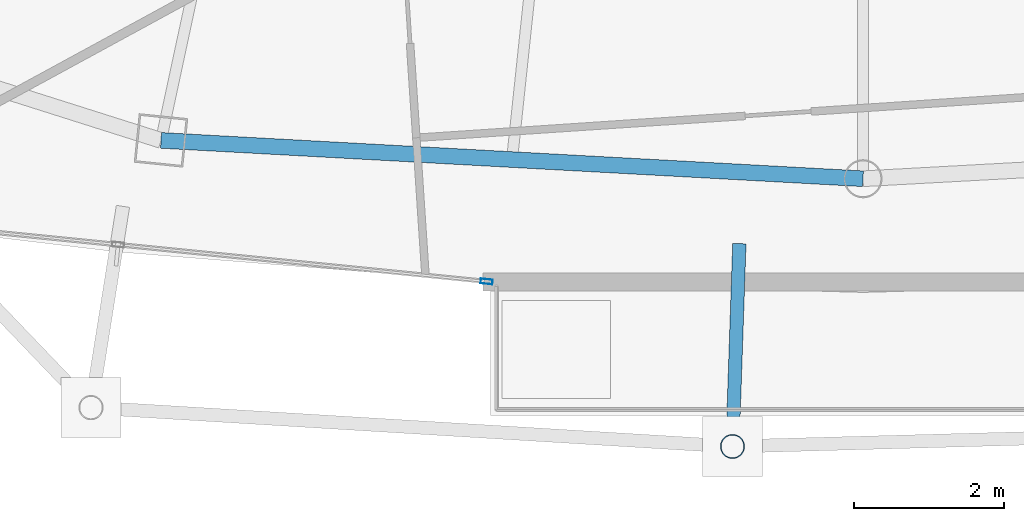
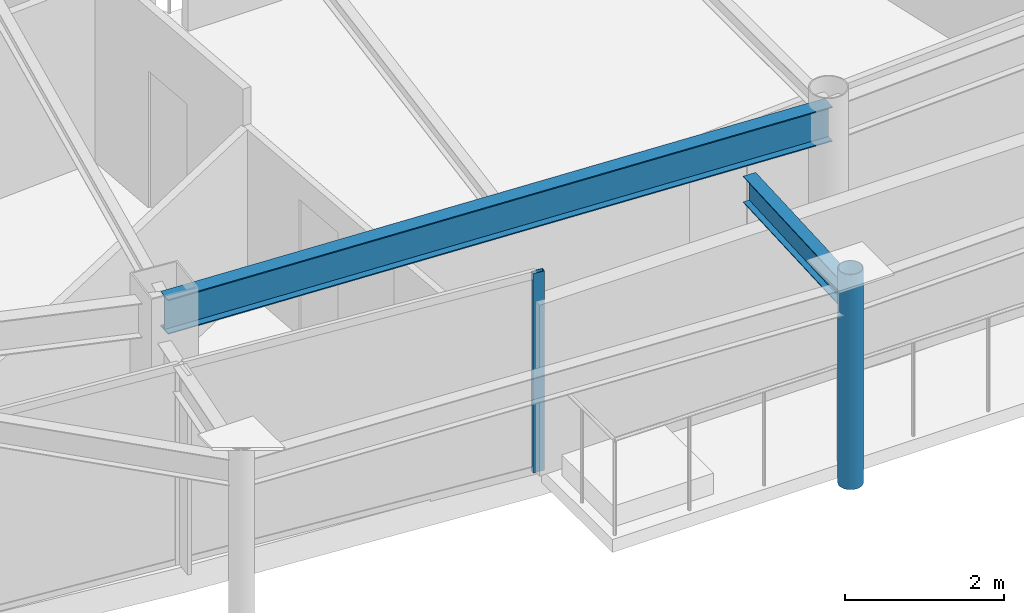
# One storey, part 7 of 29: 2 beams, 2 members, 1 element without a shape of its own.
"""IFC4 building model written with IfcOpenShell, lengths in metres."""

from ifc_helpers import new_model, si_unit, direction, frame, origin, origin_2d, place, context, subcontext, project, spatial, hollow_rectangle, hollow_circle, i_section, extrude, material, layer, layer_set, material_profile, profile_set, type_object, element, aggregate, save


model = new_model("IFC4")

# Units and contexts
model_context = context("Model", 3, precision=1e-05, world=origin(), true_north=direction((0.0, 1.0)))
body_context = subcontext(model_context, "Body", "Model", "MODEL_VIEW")
ifc_project = project(units=[si_unit("LENGTHUNIT", "METRE"), si_unit("AREAUNIT", "SQUARE_METRE"), si_unit("VOLUMEUNIT", "CUBIC_METRE"), si_unit("PLANEANGLEUNIT", "RADIAN"), si_unit("MASSUNIT", "GRAM", prefix="KILO")], contexts=[model_context])

# Site, building, storey
site_placement = place(None, origin())
site = spatial("IfcSite", under=ifc_project, at=site_placement, CompositionType="ELEMENT")
building_placement = place(site_placement, origin())
building = spatial("IfcBuilding", under=site, at=building_placement, Name="Orvanel Arch Residences", CompositionType="ELEMENT")
storey_placement = place(building_placement, frame((0.0, 0.0, 256.85009765625)))
storey = spatial("IfcBuildingStorey", under=building, at=storey_placement, Name="L73", CompositionType="ELEMENT", Elevation=256.85009765625)

# Curtain wall, member
ifc_material_1 = material(Name="Bronze-anodised aluminium AA6063-T6", Category="aluminium")
ifc_layer = layer(ifc_material_1, 0.175048828125)
ifc_layer_set = layer_set([ifc_layer], Name="Bronze-anodised aluminium AA6063-T6")
curtain_wall_type = type_object("IfcCurtainWallType", Name="CW4-HI-SYS", PredefinedType="NOTDEFINED", material=ifc_layer_set)
curtain_wall_placement = place(storey_placement, origin())
curtain_wall = element("IfcCurtainWall", 1, at=curtain_wall_placement, inside=storey, type_object=curtain_wall_type, Name="L73 CW4-HI-SYS Unitised Curtain Wall", PredefinedType="NOTDEFINED")
ifc_material_profile_1 = material_profile(ifc_material_1, hollow_rectangle(XDim=0.06494140625, YDim=0.159912109375, WallThickness=0.00390625, at=origin_2d()), Name="ALU160x65x4")
ifc_profile_set_1 = profile_set([ifc_material_profile_1], Name="Bronze-anodised aluminium AA6063-T6")
member_type_1 = type_object("IfcMemberType", Name="MUL-160x65", PredefinedType="MULLION", material=ifc_profile_set_1)
member_1_placement = place(storey_placement, frame((27.986572265625, 5.475341796875, 0.0), z_axis=(0.0, 0.0, 1.0), x_axis=(0.099583474002, 0.995029211484, 0.0)))
member_1 = element("IfcMember", 2, at=member_1_placement, type_object=member_type_1, Name="CW-S4 mullion 3", PredefinedType="MULLION", context=body_context, shape_type="SweptSolid", body=[
    extrude(hollow_rectangle(XDim=0.06494140625, YDim=0.159912109375, WallThickness=0.00390625, at=origin_2d()), origin(), (0.0, 0.0, 1.0), 3.059814453125),
])
aggregate(curtain_wall, [member_1])

# Beams
ifc_material_2 = material(Name="Structural steel AS/NZS 3679.1 Grade 300 (300 MPa)", Category="steel")
ifc_material_profile_2 = material_profile(ifc_material_2, i_section(OverallWidth=0.177978515625, OverallDepth=0.406005859375, WebThickness=0.0078125, FlangeThickness=0.0126953125, at=origin_2d()), Name="410UB59.7")
ifc_profile_set_2 = profile_set([ifc_material_profile_2], Name="Structural steel AS/NZS 3679.1 Grade 300 (300 MPa)")
beam_type_1 = type_object("IfcBeamType", Name="OB-410UB-EXT", PredefinedType="SPANDREL", material=ifc_profile_set_2)
beam_1_placement = place(storey_placement, frame((31.35302734375, 5.97998046875, 2.85693359375), z_axis=(-0.034045490843, -0.999420284241, 0.0), x_axis=(0.999420284241, -0.034045490843, 0.0)))
element("IfcBeam", 3, at=beam_1_placement, inside=storey, type_object=beam_type_1, Name="L73 Outer Frame Radial Tie Beam 06", PredefinedType="SPANDREL", context=body_context, shape_type="SweptSolid", body=[
    extrude(i_section(OverallWidth=0.177978515625, OverallDepth=0.406005859375, WebThickness=0.0078125, FlangeThickness=0.0126953125, at=origin_2d()), origin(), (0.0, 0.0, 1.0), 2.703369140625),
])
ifc_material_profile_3 = material_profile(ifc_material_2, i_section(OverallWidth=0.208984375, OverallDepth=0.532958984375, WebThickness=0.01025390625, FlangeThickness=0.015625, at=origin_2d()), Name="530UB92.4")
ifc_profile_set_3 = profile_set([ifc_material_profile_3], Name="Structural steel AS/NZS 3679.1 Grade 300 (300 MPa)")
beam_type_2 = type_object("IfcBeamType", Name="SP-530UB", PredefinedType="SPANDREL", material=ifc_profile_set_3)
beam_2_placement = place(storey_placement, frame((23.64892578125, 7.35498046875, 2.7939453125), z_axis=(0.998510315598, -0.054563262768, 0.0), x_axis=(0.054563262768, 0.998510315598, 0.0)))
element("IfcBeam", 4, at=beam_2_placement, inside=storey, type_object=beam_type_2, Name="L73 Perimeter Spandrel Beam 03", PredefinedType="SPANDREL", context=body_context, shape_type="SweptSolid", body=[
    extrude(i_section(OverallWidth=0.208984375, OverallDepth=0.532958984375, WebThickness=0.01025390625, FlangeThickness=0.015625, at=origin_2d()), origin(), (0.0, 0.0, 1.0), 9.364990234375),
])

# Member
ifc_material_3 = material(Name="Structural steel AS/NZS 1163 C350L0 (Grade 350)", Category="steel")
ifc_material_profile_4 = material_profile(ifc_material_3, hollow_circle(Radius=0.162109375, WallThickness=0.0126953125, at=origin_2d()), Name="CHS324x12.7")
ifc_profile_set_4 = profile_set([ifc_material_profile_4], Name="Structural steel AS/NZS 1163 C350L0 (Grade 350)")
member_type_2 = type_object("IfcMemberType", Name="ST-324CHS-EXT", PredefinedType="STRUT", material=ifc_profile_set_4)
member_2_placement = place(storey_placement, frame((31.260986328125, 3.278076171875, 0.0), z_axis=(0.0, 0.0, 1.0), x_axis=(1.0, 0.0, 0.0)))
element("IfcMember", 5, at=member_2_placement, inside=storey, type_object=member_type_2, Name="L73 Outer Perimeter Frame Post 06", PredefinedType="STRUT", context=body_context, shape_type="SweptSolid", body=[
    extrude(hollow_circle(Radius=0.162109375, WallThickness=0.0126953125, at=origin_2d()), origin(), (0.0, 0.0, 1.0), 3.2998046875),
])

save(model, "model.ifc")
